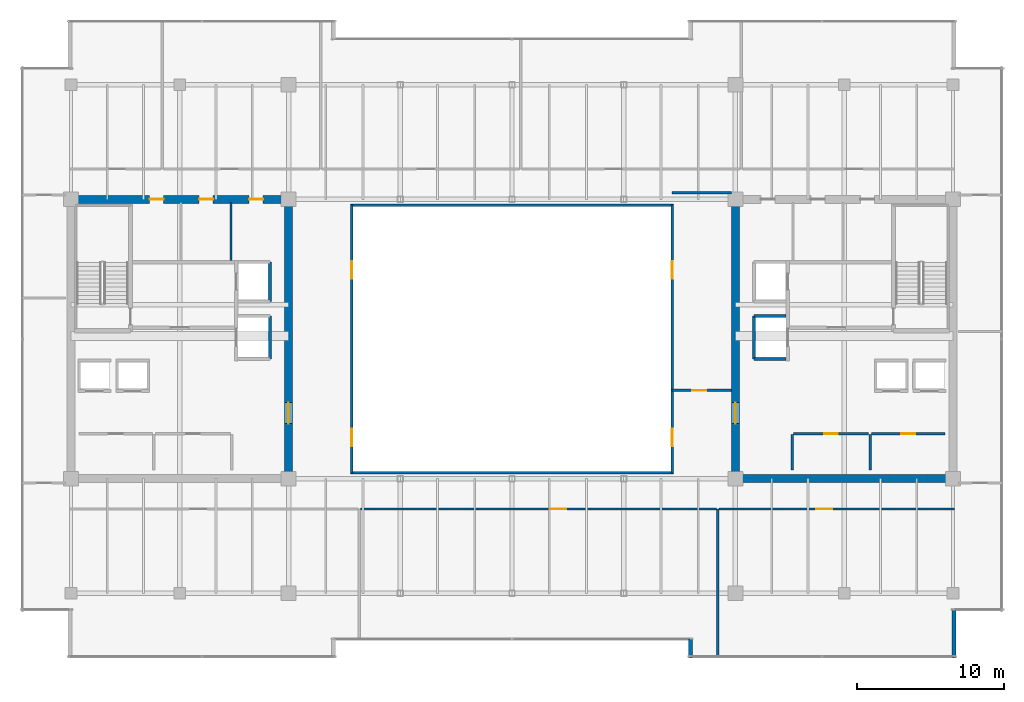
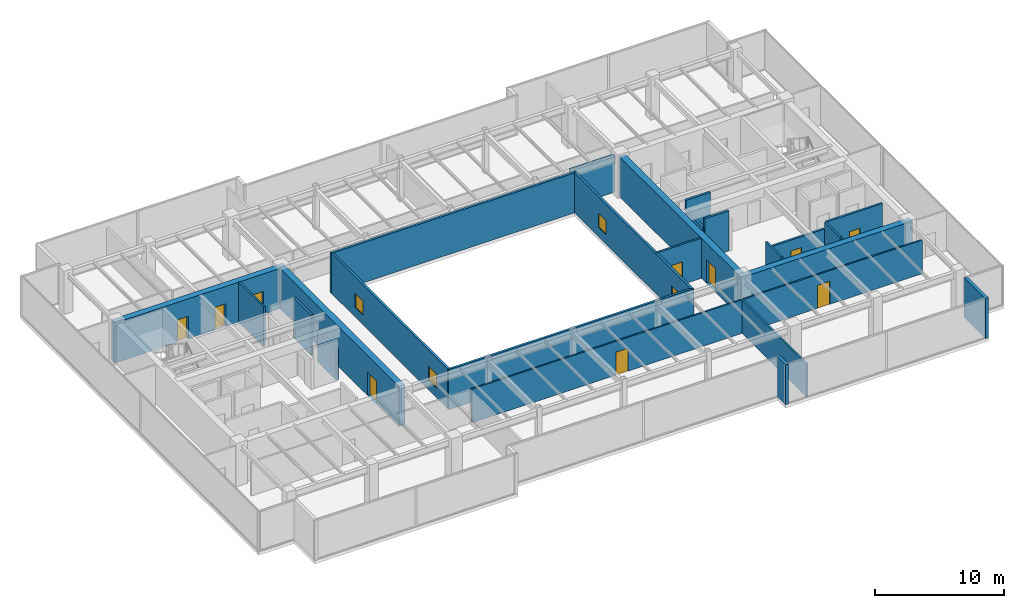
# One storey, part 29 of 33: 25 walls, 10 doors, 4 windows, 14 openings.
"""IFC4 building model written with IfcOpenShell, lengths in metres."""

from ifc_helpers import new_model, si_unit, direction, frame, frame_2d, origin, place, context, subcontext, project, spatial, rectangle, extrude, source, transform, mapped, material, layer, layer_set, type_object, type_shapes, element, fill, save


model = new_model("IFC4")

# Units and contexts
model_context = context("Model", 3, precision=1e-05, world=origin(), true_north=direction((0.0, 1.0)))
body_context = subcontext(model_context, "Body", "Model", "MODEL_VIEW")
ifc_project = project(units=[si_unit("LENGTHUNIT", "METRE"), si_unit("AREAUNIT", "SQUARE_METRE"), si_unit("VOLUMEUNIT", "CUBIC_METRE"), si_unit("PLANEANGLEUNIT", "RADIAN"), si_unit("MASSUNIT", "GRAM", prefix="KILO")], contexts=[model_context])

# Site, building, storey
site_placement = place(None, origin())
site = spatial("IfcSite", under=ifc_project, at=site_placement, CompositionType="ELEMENT")
building_placement = place(site_placement, origin())
building = spatial("IfcBuilding", under=site, at=building_placement, Name="Haelvirn Gate Laboratories", CompositionType="ELEMENT")
storey_placement = place(building_placement, frame((0.0, 0.0, 271.10009765625)))
storey = spatial("IfcBuildingStorey", under=building, at=storey_placement, Name="L65", CompositionType="ELEMENT", Elevation=271.10009765625)

# Walls
ifc_material_1 = material(Name="Thermally-broken bronze aluminium rainscreen & mineral wool", Category="aluminium")
ifc_layer_1 = layer(ifc_material_1, 0.280029296875, Name="EW-TERR-280")
ifc_layer_set_1 = layer_set([ifc_layer_1], Name="Thermally-broken bronze aluminium rainscreen & mineral wool")
wall_type_1 = type_object("IfcWallType", Name="EW-TERR-280", PredefinedType="STANDARD", material=ifc_layer_set_1)
wall_1_placement = place(storey_placement, frame((49.5400390625, 3.89306640625, 0.0), z_axis=(0.0, 0.0, 1.0), x_axis=(0.0, -1.0, 0.0)))
element("IfcWall", 1, at=wall_1_placement, inside=storey, type_object=wall_type_1, Name="L65 Atrium Recess Bronze Return Wall 03", PredefinedType="STANDARD", context=body_context, shape_type="SweptSolid", body=[
    extrude(rectangle(XDim=1.29296875, YDim=0.280029296875, at=frame_2d((0.646484375, 0.0))), origin(), (0.0, 0.0, 1.0), 3.7998046875),
])
wall_2_placement = place(storey_placement, frame((67.4599609375, 2.60009765625, 0.0), z_axis=(0.0, 0.0, 1.0), x_axis=(0.0, 1.0, 0.0)))
element("IfcWall", 2, at=wall_2_placement, inside=storey, type_object=wall_type_1, Name="L65 Atrium Recess Bronze Return Wall 05", PredefinedType="STANDARD", context=body_context, shape_type="SweptSolid", body=[
    extrude(rectangle(XDim=3.287841796875, YDim=0.280029296875, at=frame_2d((1.64404296875, 0.0))), origin(), (0.0, 0.0, 1.0), 3.7998046875),
])
ifc_material_2 = material(Name="Double-layer acoustic gypsum laboratory partition", Category="gypsum")
ifc_layer_2 = layer(ifc_material_2, 0.159912109375, Name="IW-ACOUST-160")
ifc_layer_set_2 = layer_set([ifc_layer_2], Name="Double-layer acoustic gypsum laboratory partition")
wall_type_2 = type_object("IfcWallType", Name="IW-ACOUST-160", PredefinedType="PARTITIONING", material=ifc_layer_set_2)
wall_3_placement = place(storey_placement, frame((51.39990234375, 2.7099609375, 0.0), z_axis=(0.0, 0.0, 1.0), x_axis=(0.0, 1.0, 0.0)))
element("IfcWall", 3, at=wall_3_placement, inside=storey, type_object=wall_type_2, Name="L65 Interior Wall IW-L65-SDIV-02", PredefinedType="PARTITIONING", context=body_context, shape_type="SweptSolid", body=[
    extrude(rectangle(XDim=10.030029296875, YDim=0.159912109375, at=frame_2d((5.01513671875, 0.0))), origin(), (0.0, 0.0, 1.0), 3.135009765625),
])
ifc_material_3 = material(Name="Fire-rated acoustic gypsum board partition", Category="gypsum")
ifc_layer_3 = layer(ifc_material_3, 0.175048828125, Name="IW-ACOUST-180")
ifc_layer_set_3 = layer_set([ifc_layer_3], Name="Fire-rated acoustic gypsum board partition")
wall_type_3 = type_object("IfcWallType", Name="IW-ACOUST-180", PredefinedType="PARTITIONING", material=ifc_layer_set_3)
wall_4_placement = place(storey_placement, frame((48.300048828125, 34.260009765625, 0.0), z_axis=(0.0, 0.0, 1.0), x_axis=(1.0, 0.0, 0.0)))
element("IfcWall", 4, at=wall_4_placement, inside=storey, type_object=wall_type_3, Name="L65 Interior Wall IW-L65-EPOD-N", PredefinedType="PARTITIONING", context=body_context, shape_type="SweptSolid", body=[
    extrude(rectangle(XDim=4.02490234375, YDim=0.175048828125, at=frame_2d((2.012451171875, 0.0))), origin(), (0.0, 0.0, 1.0), 3.534912109375),
])

# Wall, opening, door
wall_5_placement = place(storey_placement, frame((48.300048828125, 20.800048828125, 0.0), z_axis=(0.0, 0.0, 1.0), x_axis=(1.0, 0.0, 0.0)))
wall_5 = element("IfcWall", 5, at=wall_5_placement, inside=storey, type_object=wall_type_3, Name="L65 Interior Wall IW-L65-EPOD-S", PredefinedType="PARTITIONING", context=body_context, shape_type="SweptSolid", body=[
    extrude(rectangle(XDim=4.02490234375, YDim=0.175048828125, at=frame_2d((2.012451171875, 0.0))), origin(), (0.0, 0.0, 1.0), 3.7998046875),
])
opening_1_placement = place(wall_5_placement, frame((1.35009765625, 0.0, 0.0)))
opening_1 = element("IfcOpeningElement", 6, at=opening_1_placement, cuts=wall_5, Name="Opening FD4", PredefinedType="OPENING", context=body_context, shape_type="SweptSolid", body=[
    extrude(rectangle(XDim=0.949951171875, YDim=2.14990234375, at=frame_2d((0.47509765625, 1.074951171875))), frame((0.0, 0.09765625, 0.0), z_axis=(0.0, -1.0, 0.0), x_axis=(1.0, 0.0, 0.0)), (0.0, 0.0, 1.0), 0.195068359375),
])
ifc_material_4 = material(Name="Fire-rated steel SM355 core service door", Category="steel")
door_type_1 = type_object("IfcDoorType", Name="DR-FD-950", OperationType="NOTDEFINED", PredefinedType="DOOR", material=ifc_material_4)
shared_shape_1 = source(origin(), body_context, "Body", "SweptSolid", [
    extrude(rectangle(XDim=0.949951171875, YDim=2.14990234375, at=frame_2d((0.47509765625, 1.074951171875))), frame((0.0, 0.02490234375, 0.0), z_axis=(0.0, -1.0, 0.0), x_axis=(1.0, 0.0, 0.0)), (0.0, 0.0, 1.0), 0.050048828125),
])
type_shapes(door_type_1, [shared_shape_1])
door_1_placement = place(opening_1_placement, origin())
door_1 = element("IfcDoor", 7, at=door_1_placement, inside=storey, type_object=door_type_1, Name="L65 High-Zone Collaboration Suite Door", OperationType="SINGLE_SWING_LEFT", OverallHeight=2.14990234375, OverallWidth=0.949951171875, PredefinedType="DOOR", context=body_context, shape_type="MappedRepresentation", body=[
    mapped(shared_shape_1, transform((0.0, 0.0, 0.0), scale=1.0)),
])
fill(opening_1, door_1)

# Wall, openings, windows
ifc_material_5 = material(Name="Tempered fire-rated borosilicate glass & anodised aluminium", Category="aluminium")
ifc_layer_4 = layer(ifc_material_5, 0.195068359375, Name="IW-GLAZ-200")
ifc_layer_set_4 = layer_set([ifc_layer_4], Name="Tempered fire-rated borosilicate glass & anodised aluminium")
wall_type_4 = type_object("IfcWallType", Name="IW-GLAZ-200", PredefinedType="SOLIDWALL", material=ifc_layer_set_4)
wall_6_placement = place(storey_placement, frame((26.5, 15.199951171875, 0.0), z_axis=(0.0, 0.0, 1.0), x_axis=(0.0, 1.0, 0.0)))
wall_6 = element("IfcWall", 8, at=wall_6_placement, inside=storey, type_object=wall_type_4, Name="L65 Interior Wall IW-L65-ATRIUM-W", PredefinedType="SOLIDWALL", context=body_context, shape_type="SweptSolid", body=[
    extrude(rectangle(XDim=18.199951171875, YDim=0.195068359375, at=frame_2d((9.10009765625, 0.0))), origin(), (0.0, 0.0, 1.0), 3.7998046875),
])
opening_2_placement = place(wall_6_placement, frame((1.800048828125, 0.0, 0.89990234375)))
opening_2 = element("IfcOpeningElement", 9, at=opening_2_placement, cuts=wall_6, Name="Opening W6", PredefinedType="OPENING", context=body_context, shape_type="SweptSolid", body=[
    extrude(rectangle(XDim=1.199951171875, YDim=1.35009765625, at=frame_2d((0.60009765625, 0.675048828125))), frame((0.0, 0.107421875, 0.0), z_axis=(0.0, -1.0, 0.0), x_axis=(1.0, 0.0, 0.0)), (0.0, 0.0, 1.0), 0.215087890625),
])
opening_3_placement = place(wall_6_placement, frame((13.199951171875, 0.0, 0.89990234375)))
opening_3 = element("IfcOpeningElement", 10, at=opening_3_placement, cuts=wall_6, Name="Opening W6", PredefinedType="OPENING", context=body_context, shape_type="SweptSolid", body=[
    extrude(rectangle(XDim=1.199951171875, YDim=1.35009765625, at=frame_2d((0.60009765625, 0.675048828125))), frame((0.0, 0.107421875, 0.0), z_axis=(0.0, -1.0, 0.0), x_axis=(1.0, 0.0, 0.0)), (0.0, 0.0, 1.0), 0.215087890625),
])
ifc_material_6 = material(Name="Fire-rated EI 120 borosilicate atrium vision glazing", Category="glass")
window_type = type_object("IfcWindowType", Name="WN-ATR-1200", PartitioningType="SINGLE_PANEL", PredefinedType="WINDOW", material=ifc_material_6)
shared_shape_2 = source(origin(), body_context, "Body", "SweptSolid", [
    extrude(rectangle(XDim=1.199951171875, YDim=1.35009765625, at=frame_2d((0.60009765625, 0.675048828125))), frame((0.0, 0.030029296875, 0.0), z_axis=(0.0, -1.0, 0.0), x_axis=(1.0, 0.0, 0.0)), (0.0, 0.0, 1.0), 0.06005859375),
])
type_shapes(window_type, [shared_shape_2])
window_1_placement = place(opening_2_placement, origin())
window_1 = element("IfcWindow", 11, at=window_1_placement, inside=storey, type_object=window_type, Name="L65 Atrium Observation Window 1", OverallHeight=1.35009765625, OverallWidth=1.199951171875, PartitioningType="SINGLE_PANEL", PredefinedType="WINDOW", context=body_context, shape_type="MappedRepresentation", body=[
    mapped(shared_shape_2, transform((0.0, 0.0, 0.0), scale=1.0)),
])
fill(opening_2, window_1)
window_2_placement = place(opening_3_placement, origin())
window_2 = element("IfcWindow", 12, at=window_2_placement, inside=storey, type_object=window_type, Name="L65 Atrium Observation Window 2", OverallHeight=1.35009765625, OverallWidth=1.199951171875, PartitioningType="SINGLE_PANEL", PredefinedType="WINDOW", context=body_context, shape_type="MappedRepresentation", body=[
    mapped(shared_shape_2, transform((0.0, 0.0, 0.0), scale=1.0)),
])
fill(opening_3, window_2)

wall_7_placement = place(storey_placement, frame((48.300048828125, 15.199951171875, 0.0), z_axis=(0.0, 0.0, 1.0), x_axis=(0.0, 1.0, 0.0)))
wall_7 = element("IfcWall", 13, at=wall_7_placement, inside=storey, type_object=wall_type_4, Name="L65 Interior Wall IW-L65-ATRIUM-E", PredefinedType="SOLIDWALL", context=body_context, shape_type="SweptSolid", body=[
    extrude(rectangle(XDim=18.199951171875, YDim=0.195068359375, at=frame_2d((9.10009765625, 0.0))), origin(), (0.0, 0.0, 1.0), 3.7998046875),
])
opening_4_placement = place(wall_7_placement, frame((1.800048828125, 0.0, 0.89990234375)))
opening_4 = element("IfcOpeningElement", 14, at=opening_4_placement, cuts=wall_7, Name="Opening W6", PredefinedType="OPENING", context=body_context, shape_type="SweptSolid", body=[
    extrude(rectangle(XDim=1.199951171875, YDim=1.35009765625, at=frame_2d((0.60009765625, 0.675048828125))), frame((0.0, 0.107421875, 0.0), z_axis=(0.0, -1.0, 0.0), x_axis=(1.0, 0.0, 0.0)), (0.0, 0.0, 1.0), 0.215087890625),
])
opening_5_placement = place(wall_7_placement, frame((13.199951171875, 0.0, 0.89990234375)))
opening_5 = element("IfcOpeningElement", 15, at=opening_5_placement, cuts=wall_7, Name="Opening W6", PredefinedType="OPENING", context=body_context, shape_type="SweptSolid", body=[
    extrude(rectangle(XDim=1.199951171875, YDim=1.35009765625, at=frame_2d((0.60009765625, 0.675048828125))), frame((0.0, 0.107421875, 0.0), z_axis=(0.0, -1.0, 0.0), x_axis=(1.0, 0.0, 0.0)), (0.0, 0.0, 1.0), 0.215087890625),
])
window_3_placement = place(opening_4_placement, origin())
window_3 = element("IfcWindow", 16, at=window_3_placement, inside=storey, type_object=window_type, Name="L65 Atrium Observation Window 1", OverallHeight=1.35009765625, OverallWidth=1.199951171875, PartitioningType="SINGLE_PANEL", PredefinedType="WINDOW", context=body_context, shape_type="MappedRepresentation", body=[
    mapped(shared_shape_2, transform((0.0, 0.0, 0.0), scale=1.0)),
])
fill(opening_4, window_3)
window_4_placement = place(opening_5_placement, origin())
window_4 = element("IfcWindow", 17, at=window_4_placement, inside=storey, type_object=window_type, Name="L65 Atrium Observation Window 2", OverallHeight=1.35009765625, OverallWidth=1.199951171875, PartitioningType="SINGLE_PANEL", PredefinedType="WINDOW", context=body_context, shape_type="MappedRepresentation", body=[
    mapped(shared_shape_2, transform((0.0, 0.0, 0.0), scale=1.0)),
])
fill(opening_5, window_4)

# Walls
for number, where, z_axis, x_axis, name in (
    (18, (26.39990234375, 15.199951171875, 0.0), (0.0, 0.0, 1.0), (1.0, 0.0, 0.0), "L65 Interior Wall IW-L65-ATRIUM-S"),
    (19, (26.39990234375, 33.39990234375, 0.0), (0.0, 0.0, 1.0), (1.0, 0.0, 0.0), "L65 Interior Wall IW-L65-ATRIUM-N"),
):
    element("IfcWall", number, at=place(storey_placement, frame(where, z_axis=z_axis, x_axis=x_axis)), inside=storey, type_object=wall_type_4, Name=name, PredefinedType="SOLIDWALL", context=body_context, shape_type="SweptSolid", body=[
        extrude(rectangle(XDim=22.0, YDim=0.195068359375, at=frame_2d((11.0, 0.0))), origin(), (0.0, 0.0, 1.0), 3.7998046875),
    ])

# Wall, opening, door
ifc_material_7 = material(Name="Acoustic mineral-wool gypsum board partition", Category="gypsum")
ifc_layer_5 = layer(ifc_material_7, 0.139892578125, Name="IW-PART-140")
ifc_layer_set_5 = layer_set([ifc_layer_5], Name="Acoustic mineral-wool gypsum board partition")
wall_type_5 = type_object("IfcWallType", Name="IW-PART-140", PredefinedType="PARTITIONING", material=ifc_layer_set_5)
wall_8_placement = place(storey_placement, frame((27.080078125, 12.739990234375, 0.0), z_axis=(0.0, 0.0, 1.0), x_axis=(1.0, 0.0, 0.0)))
wall_8 = element("IfcWall", 20, at=wall_8_placement, inside=storey, type_object=wall_type_5, Name="L65 Interior Wall IW-L65-SCORR-02", PredefinedType="PARTITIONING", context=body_context, shape_type="SweptSolid", body=[
    extrude(rectangle(XDim=24.239990234375, YDim=0.139892578125, at=frame_2d((12.1201171875, 0.0))), origin(), (0.0, 0.0, 1.0), 3.197021484375),
])
opening_6_placement = place(wall_8_placement, frame((12.91650390625, 0.0, 0.0)))
opening_6 = element("IfcOpeningElement", 21, at=opening_6_placement, cuts=wall_8, Name="Opening D1", PredefinedType="OPENING", context=body_context, shape_type="SweptSolid", body=[
    extrude(rectangle(XDim=1.10009765625, YDim=2.179931640625, at=frame_2d((0.550048828125, 1.08984375))), frame((0.0, 0.080078125, 0.0), z_axis=(0.0, -1.0, 0.0), x_axis=(1.0, 0.0, 0.0)), (0.0, 0.0, 1.0), 0.159912109375),
])
ifc_material_8 = material(Name="Vision-panel acoustic solid-core timber lab door", Category="wood")
door_type_2 = type_object("IfcDoorType", Name="DR-LAB-1100", OperationType="NOTDEFINED", PredefinedType="DOOR", material=ifc_material_8)
shared_shape_3 = source(origin(), body_context, "Body", "SweptSolid", [
    extrude(rectangle(XDim=1.10009765625, YDim=2.179931640625, at=frame_2d((0.550048828125, 1.08984375))), frame((0.0, 0.02490234375, 0.0), z_axis=(0.0, -1.0, 0.0), x_axis=(1.0, 0.0, 0.0)), (0.0, 0.0, 1.0), 0.050048828125),
])
type_shapes(door_type_2, [shared_shape_3])
door_2_placement = place(opening_6_placement, origin())
door_2 = element("IfcDoor", 22, at=door_2_placement, inside=storey, type_object=door_type_2, Name="L65 Computational Write-Up Office Door S2", OperationType="SINGLE_SWING_LEFT", OverallHeight=2.179931640625, OverallWidth=1.10009765625, PredefinedType="DOOR", context=body_context, shape_type="MappedRepresentation", body=[
    mapped(shared_shape_3, transform((0.0, 0.0, 0.0), scale=1.0)),
])
fill(opening_6, door_2)

wall_9_placement = place(storey_placement, frame((51.47998046875, 12.739990234375, 0.0), z_axis=(0.0, 0.0, 1.0), x_axis=(1.0, 0.0, 0.0)))
wall_9 = element("IfcWall", 23, at=wall_9_placement, inside=storey, type_object=wall_type_5, Name="L65 Interior Wall IW-L65-SCORR-03", PredefinedType="PARTITIONING", context=body_context, shape_type="SweptSolid", body=[
    extrude(rectangle(XDim=16.010009765625, YDim=0.139892578125, at=frame_2d((8.0048828125, 0.0))), origin(), (0.0, 0.0, 1.0), 3.197021484375),
])
opening_7_placement = place(wall_9_placement, frame((6.602294921875, 0.0, 0.0)))
opening_7 = element("IfcOpeningElement", 24, at=opening_7_placement, cuts=wall_9, Name="Opening D1", PredefinedType="OPENING", context=body_context, shape_type="SweptSolid", body=[
    extrude(rectangle(XDim=1.10009765625, YDim=2.179931640625, at=frame_2d((0.550048828125, 1.08984375))), frame((0.0, 0.080078125, 0.0), z_axis=(0.0, -1.0, 0.0), x_axis=(1.0, 0.0, 0.0)), (0.0, 0.0, 1.0), 0.159912109375),
])
door_3_placement = place(opening_7_placement, origin())
door_3 = element("IfcDoor", 25, at=door_3_placement, inside=storey, type_object=door_type_2, Name="L65 Bioinformatics Dry-Lab Workspace Door S3", OperationType="SINGLE_SWING_RIGHT", OverallHeight=2.179931640625, OverallWidth=1.10009765625, PredefinedType="DOOR", context=body_context, shape_type="MappedRepresentation", body=[
    mapped(shared_shape_3, transform((0.0, 0.0, 0.0), scale=1.0)),
])
fill(opening_7, door_3)

# Wall
ifc_material_9 = material(Name="Cement-board restroom plumbing chase wall", Category="gypsum")
ifc_layer_6 = layer(ifc_material_9, 0.155029296875, Name="IW-PLUMB-160")
ifc_layer_set_6 = layer_set([ifc_layer_6], Name="Cement-board restroom plumbing chase wall")
wall_type_6 = type_object("IfcWallType", Name="IW-PLUMB-160", PredefinedType="PLUMBINGWALL", material=ifc_layer_set_6)
wall_10_placement = place(storey_placement, frame((18.2900390625, 29.64990234375, 0.0), z_axis=(0.0, 0.0, 1.0), x_axis=(0.0, 1.0, 0.0)))
element("IfcWall", 26, at=wall_10_placement, inside=storey, type_object=wall_type_6, Name="L65 Interior Wall IW-L65-W-CDIV-2", PredefinedType="PLUMBINGWALL", context=body_context, shape_type="SweptSolid", body=[
    extrude(rectangle(XDim=3.93017578125, YDim=0.155029296875, at=frame_2d((1.965087890625, 0.0))), origin(), (0.0, 0.0, 1.0), 3.7998046875),
])

# Wall, opening, door
ifc_material_10 = material(Name="Concrete C40/50", Category="concrete")
ifc_layer_7 = layer(ifc_material_10, 0.179931640625, Name="IW-SHAFT-180")
ifc_layer_set_7 = layer_set([ifc_layer_7], Name="Concrete C40/50")
wall_type_7 = type_object("IfcWallType", Name="IW-SHAFT-180", PredefinedType="SOLIDWALL", material=ifc_layer_set_7)
wall_11_placement = place(storey_placement, frame((61.85009765625, 17.85009765625, 0.0), z_axis=(0.0, 0.0, 1.0), x_axis=(1.0, 0.0, 0.0)))
wall_11 = element("IfcWall", 27, at=wall_11_placement, inside=storey, type_object=wall_type_7, Name="L65 Interior Wall IW-L65-E-FREED-HN-1", PredefinedType="SOLIDWALL", context=body_context, shape_type="SweptSolid", body=[
    extrude(rectangle(XDim=5.0, YDim=0.179931640625, at=frame_2d((2.5, 0.0))), origin(), (0.0, 0.0, 1.0), 3.7998046875),
])
opening_8_placement = place(wall_11_placement, frame((2.02490234375, 0.0, 0.0)))
opening_8 = element("IfcOpeningElement", 28, at=opening_8_placement, cuts=wall_11, Name="Opening FD4", PredefinedType="OPENING", context=body_context, shape_type="SweptSolid", body=[
    extrude(rectangle(XDim=0.949951171875, YDim=2.14990234375, at=frame_2d((0.47509765625, 1.074951171875))), frame((0.0, 0.10009765625, 0.0), z_axis=(0.0, -1.0, 0.0), x_axis=(1.0, 0.0, 0.0)), (0.0, 0.0, 1.0), 0.199951171875),
])
door_4_placement = place(opening_8_placement, origin())
door_4 = element("IfcDoor", 29, at=door_4_placement, inside=storey, type_object=door_type_1, Name="L65 Cryogenic Specimen Biobank Door", OperationType="SINGLE_SWING_LEFT", OverallHeight=2.14990234375, OverallWidth=0.949951171875, PredefinedType="DOOR", context=body_context, shape_type="MappedRepresentation", body=[
    mapped(shared_shape_1, transform((0.0, 0.0, 0.0), scale=1.0)),
])
fill(opening_8, door_4)

# Wall
wall_12_placement = place(storey_placement, frame((61.760009765625, 15.39990234375, 0.0), z_axis=(0.0, 0.0, 1.0), x_axis=(0.0, 1.0, 0.0)))
element("IfcWall", 30, at=wall_12_placement, inside=storey, type_object=wall_type_7, Name="L65 Interior Wall IW-L65-E-FREED-HE-1", PredefinedType="SOLIDWALL", context=body_context, shape_type="SweptSolid", body=[
    extrude(rectangle(XDim=2.400146484375, YDim=0.179931640625, at=frame_2d((1.2001953125, 0.0))), origin(), (0.0, 0.0, 1.0), 3.7998046875),
])

# Wall, opening, door
wall_13_placement = place(storey_placement, frame((56.550048828125, 17.85009765625, 0.0), z_axis=(0.0, 0.0, 1.0), x_axis=(1.0, 0.0, 0.0)))
wall_13 = element("IfcWall", 31, at=wall_13_placement, inside=storey, type_object=wall_type_7, Name="L65 Interior Wall IW-L65-E-FREED-HN-2", PredefinedType="SOLIDWALL", context=body_context, shape_type="SweptSolid", body=[
    extrude(rectangle(XDim=5.099853515625, YDim=0.179931640625, at=frame_2d((2.5498046875, 0.0))), origin(), (0.0, 0.0, 1.0), 3.197021484375),
])
opening_9_placement = place(wall_13_placement, frame((2.074951171875, 0.0, 0.0)))
opening_9 = element("IfcOpeningElement", 32, at=opening_9_placement, cuts=wall_13, Name="Opening FD4", PredefinedType="OPENING", context=body_context, shape_type="SweptSolid", body=[
    extrude(rectangle(XDim=0.949951171875, YDim=2.14990234375, at=frame_2d((0.47509765625, 1.074951171875))), frame((0.0, 0.10009765625, 0.0), z_axis=(0.0, -1.0, 0.0), x_axis=(1.0, 0.0, 0.0)), (0.0, 0.0, 1.0), 0.199951171875),
])
door_5_placement = place(opening_9_placement, origin())
door_5 = element("IfcDoor", 33, at=door_5_placement, inside=storey, type_object=door_type_1, Name="L65 Cryo-Assay Preparation Laboratory Door", OperationType="SINGLE_SWING_RIGHT", OverallHeight=2.14990234375, OverallWidth=0.949951171875, PredefinedType="DOOR", context=body_context, shape_type="MappedRepresentation", body=[
    mapped(shared_shape_1, transform((0.0, 0.0, 0.0), scale=1.0)),
])
fill(opening_9, door_5)

# Walls
wall_14_placement = place(storey_placement, frame((56.4599609375, 15.39990234375, 0.0), z_axis=(0.0, 0.0, 1.0), x_axis=(0.0, 1.0, 0.0)))
element("IfcWall", 34, at=wall_14_placement, inside=storey, type_object=wall_type_7, Name="L65 Interior Wall IW-L65-E-FREED-HE-2", PredefinedType="SOLIDWALL", context=body_context, shape_type="SweptSolid", body=[
    extrude(rectangle(XDim=2.400146484375, YDim=0.179931640625, at=frame_2d((1.2001953125, 0.0))), origin(), (0.0, 0.0, 1.0), 3.7998046875),
])
ifc_layer_8 = layer(ifc_material_10, 0.199951171875, Name="IW-SHAFT-200")
ifc_layer_set_8 = layer_set([ifc_layer_8], Name="Concrete C40/50")
wall_type_8 = type_object("IfcWallType", Name="IW-SHAFT-200", PredefinedType="SOLIDWALL", material=ifc_layer_set_8)
wall_15_placement = place(storey_placement, frame((20.949951171875, 26.85009765625, 0.0), z_axis=(0.0, 0.0, 1.0), x_axis=(0.0, 1.0, 0.0)))
element("IfcWall", 35, at=wall_15_placement, inside=storey, type_object=wall_type_8, Name="L65 Interior Wall IW-L65-FL1-BK", PredefinedType="SOLIDWALL", context=body_context, shape_type="SweptSolid", body=[
    extrude(rectangle(XDim=2.699951171875, YDim=0.199951171875, at=frame_2d((1.35009765625, 0.0))), origin(), (0.0, 0.0, 1.0), 3.7998046875),
])
for number, where, z_axis, x_axis, name in (
    (36, (20.949951171875, 22.949951171875, 0.0), (0.0, 0.0, 1.0), (0.0, 1.0, 0.0), "L65 Interior Wall IW-L65-SL1-BK"),
    (37, (53.85009765625, 22.949951171875, 0.0), (0.0, 0.0, 1.0), (0.0, 1.0, 0.0), "L65 Interior Wall IW-L65-SL2-BK"),
):
    element("IfcWall", number, at=place(storey_placement, frame(where, z_axis=z_axis, x_axis=x_axis)), inside=storey, type_object=wall_type_8, Name=name, PredefinedType="SOLIDWALL", context=body_context, shape_type="SweptSolid", body=[
        extrude(rectangle(XDim=2.900146484375, YDim=0.199951171875, at=frame_2d((1.4501953125, 0.0))), origin(), (0.0, 0.0, 1.0), 2.934814453125),
    ])
for number, where, z_axis, x_axis, name in (
    (38, (53.85009765625, 25.85009765625, 0.0), (0.0, 0.0, 1.0), (1.0, 0.0, 0.0), "L65 Interior Wall IW-L65-SL2-N"),
    (39, (53.85009765625, 22.949951171875, 0.0), (0.0, 0.0, 1.0), (1.0, 0.0, 0.0), "L65 Interior Wall IW-L65-SL2-S"),
):
    element("IfcWall", number, at=place(storey_placement, frame(where, z_axis=z_axis, x_axis=x_axis)), inside=storey, type_object=wall_type_8, Name=name, PredefinedType="SOLIDWALL", context=body_context, shape_type="SweptSolid", body=[
        extrude(rectangle(XDim=2.18994140625, YDim=0.199951171875, at=frame_2d((1.094970703125, 0.0))), origin(), (0.0, 0.0, 1.0), 3.7998046875),
    ])

# Wall, openings, doors
ifc_material_11 = material(Name="Concrete C50/60", Category="concrete")
ifc_layer_9 = layer(ifc_material_11, 0.550048828125, Name="SW-CORE-550")
ifc_layer_set_9 = layer_set([ifc_layer_9], Name="Concrete C50/60")
wall_type_9 = type_object("IfcWallType", Name="SW-CORE-550", PredefinedType="SHEAR", material=ifc_layer_set_9)
wall_16_placement = place(storey_placement, frame((7.125, 33.800048828125, 0.0), z_axis=(0.0, 0.0, 1.0), x_axis=(1.0, 0.0, 0.0)))
wall_16 = element("IfcWall", 40, at=wall_16_placement, inside=storey, type_object=wall_type_9, Name="L65 W Core Shear Wall N", PredefinedType="SHEAR", context=body_context, shape_type="SweptSolid", body=[
    extrude(rectangle(XDim=15.35009765625, YDim=0.550048828125, at=frame_2d((7.675048828125, 0.0))), origin(), (0.0, 0.0, 1.0), 3.7998046875),
])
opening_10_placement = place(wall_16_placement, frame((5.625, 0.0, 0.0)))
opening_10 = element("IfcOpeningElement", 41, at=opening_10_placement, cuts=wall_16, Name="Opening FD4", PredefinedType="OPENING", context=body_context, shape_type="SweptSolid", body=[
    extrude(rectangle(XDim=0.949951171875, YDim=2.14990234375, at=frame_2d((0.47509765625, 1.074951171875))), frame((0.0, 0.28515625, 0.0), z_axis=(0.0, -1.0, 0.0), x_axis=(1.0, 0.0, 0.0)), (0.0, 0.0, 1.0), 0.570068359375),
])
opening_11_placement = place(wall_16_placement, frame((8.989990234375, 0.0, 0.0)))
opening_11 = element("IfcOpeningElement", 42, at=opening_11_placement, cuts=wall_16, Name="Opening FD4", PredefinedType="OPENING", context=body_context, shape_type="SweptSolid", body=[
    extrude(rectangle(XDim=0.949951171875, YDim=2.14990234375, at=frame_2d((0.47509765625, 1.074951171875))), frame((0.0, 0.28515625, 0.0), z_axis=(0.0, -1.0, 0.0), x_axis=(1.0, 0.0, 0.0)), (0.0, 0.0, 1.0), 0.570068359375),
])
opening_12_placement = place(wall_16_placement, frame((12.389892578125, 0.0, 0.0)))
opening_12 = element("IfcOpeningElement", 43, at=opening_12_placement, cuts=wall_16, Name="Opening FD4", PredefinedType="OPENING", context=body_context, shape_type="SweptSolid", body=[
    extrude(rectangle(XDim=0.949951171875, YDim=2.14990234375, at=frame_2d((0.47509765625, 1.074951171875))), frame((0.0, 0.28515625, 0.0), z_axis=(0.0, -1.0, 0.0), x_axis=(1.0, 0.0, 0.0)), (0.0, 0.0, 1.0), 0.570068359375),
])
door_6_placement = place(opening_10_placement, origin())
door_6 = element("IfcDoor", 44, at=door_6_placement, inside=storey, type_object=door_type_1, Name="L65 Male Restroom Fire Door", OperationType="SINGLE_SWING_RIGHT", OverallHeight=2.14990234375, OverallWidth=0.949951171875, PredefinedType="DOOR", context=body_context, shape_type="MappedRepresentation", body=[
    mapped(shared_shape_1, transform((0.0, 0.0, 0.0), scale=1.0)),
])
fill(opening_10, door_6)
door_7_placement = place(opening_11_placement, origin())
door_7 = element("IfcDoor", 45, at=door_7_placement, inside=storey, type_object=door_type_1, Name="L65 Female Restroom Fire Door", OperationType="SINGLE_SWING_LEFT", OverallHeight=2.14990234375, OverallWidth=0.949951171875, PredefinedType="DOOR", context=body_context, shape_type="MappedRepresentation", body=[
    mapped(shared_shape_1, transform((0.0, 0.0, 0.0), scale=1.0)),
])
fill(opening_11, door_7)
door_8_placement = place(opening_12_placement, origin())
door_8 = element("IfcDoor", 46, at=door_8_placement, inside=storey, type_object=door_type_1, Name="L65 Accessible Restroom Fire Door", OperationType="SINGLE_SWING_RIGHT", OverallHeight=2.14990234375, OverallWidth=0.949951171875, PredefinedType="DOOR", context=body_context, shape_type="MappedRepresentation", body=[
    mapped(shared_shape_1, transform((0.0, 0.0, 0.0), scale=1.0)),
])
fill(opening_12, door_8)

# Wall, opening, door
wall_17_placement = place(storey_placement, frame((22.199951171875, 15.074951171875, 0.0), z_axis=(0.0, 0.0, 1.0), x_axis=(0.0, 1.0, 0.0)))
wall_17 = element("IfcWall", 47, at=wall_17_placement, inside=storey, type_object=wall_type_9, Name="L65 W Core Shear Wall E", PredefinedType="SHEAR", context=body_context, shape_type="SweptSolid", body=[
    extrude(rectangle(XDim=18.449951171875, YDim=0.550048828125, at=frame_2d((9.22509765625, 0.0))), origin(), (0.0, 0.0, 1.0), 3.7998046875),
])
opening_13_placement = place(wall_17_placement, frame((3.47509765625, 0.0, 0.0)))
opening_13 = element("IfcOpeningElement", 48, at=opening_13_placement, cuts=wall_17, Name="Opening FD1", PredefinedType="OPENING", context=body_context, shape_type="SweptSolid", body=[
    extrude(rectangle(XDim=1.419921875, YDim=2.199951171875, at=frame_2d((0.7099609375, 1.10009765625))), frame((0.0, 0.28515625, 0.0), z_axis=(0.0, -1.0, 0.0), x_axis=(1.0, 0.0, 0.0)), (0.0, 0.0, 1.0), 0.570068359375),
])
ifc_material_12 = material(Name="Fire-rated double steel SM355 lobby door", Category="steel")
door_type_3 = type_object("IfcDoorType", Name="DR-FD-1400", OperationType="NOTDEFINED", PredefinedType="DOOR", material=ifc_material_12)
shared_shape_4 = source(origin(), body_context, "Body", "SweptSolid", [
    extrude(rectangle(XDim=1.419921875, YDim=2.199951171875, at=frame_2d((0.7099609375, 1.10009765625))), frame((0.0, 0.02490234375, 0.0), z_axis=(0.0, -1.0, 0.0), x_axis=(1.0, 0.0, 0.0)), (0.0, 0.0, 1.0), 0.050048828125),
])
type_shapes(door_type_3, [shared_shape_4])
door_9_placement = place(opening_13_placement, origin())
door_9 = element("IfcDoor", 49, at=door_9_placement, inside=storey, type_object=door_type_3, Name="L65 West Core Lift Lobby Fire Door", OperationType="DOUBLE_DOOR_SINGLE_SWING", OverallHeight=2.199951171875, OverallWidth=1.419921875, PredefinedType="DOOR", context=body_context, shape_type="MappedRepresentation", body=[
    mapped(shared_shape_4, transform((0.0, 0.0, 0.0), scale=1.0)),
])
fill(opening_13, door_9)

# Wall
wall_18_placement = place(storey_placement, frame((52.324951171875, 14.800048828125, 0.0), z_axis=(0.0, 0.0, 1.0), x_axis=(1.0, 0.0, 0.0)))
element("IfcWall", 50, at=wall_18_placement, inside=storey, type_object=wall_type_9, Name="L65 E Core Shear Wall S", PredefinedType="SHEAR", context=body_context, shape_type="SweptSolid", body=[
    extrude(rectangle(XDim=15.35009765625, YDim=0.550048828125, at=frame_2d((7.675048828125, 0.0))), origin(), (0.0, 0.0, 1.0), 3.7998046875),
])

# Wall, opening, door
wall_19_placement = place(storey_placement, frame((52.60009765625, 15.074951171875, 0.0), z_axis=(0.0, 0.0, 1.0), x_axis=(0.0, 1.0, 0.0)))
wall_19 = element("IfcWall", 51, at=wall_19_placement, inside=storey, type_object=wall_type_9, Name="L65 E Core Shear Wall W", PredefinedType="SHEAR", context=body_context, shape_type="SweptSolid", body=[
    extrude(rectangle(XDim=18.449951171875, YDim=0.550048828125, at=frame_2d((9.22509765625, 0.0))), origin(), (0.0, 0.0, 1.0), 3.7998046875),
])
opening_14_placement = place(wall_19_placement, frame((3.47509765625, 0.0, 0.0)))
opening_14 = element("IfcOpeningElement", 52, at=opening_14_placement, cuts=wall_19, Name="Opening FD1", PredefinedType="OPENING", context=body_context, shape_type="SweptSolid", body=[
    extrude(rectangle(XDim=1.419921875, YDim=2.199951171875, at=frame_2d((0.7099609375, 1.10009765625))), frame((0.0, 0.28515625, 0.0), z_axis=(0.0, -1.0, 0.0), x_axis=(1.0, 0.0, 0.0)), (0.0, 0.0, 1.0), 0.570068359375),
])
door_10_placement = place(opening_14_placement, origin())
door_10 = element("IfcDoor", 53, at=door_10_placement, inside=storey, type_object=door_type_3, Name="L65 East Core Lift Lobby Fire Door", OperationType="DOUBLE_DOOR_SINGLE_SWING", OverallHeight=2.199951171875, OverallWidth=1.419921875, PredefinedType="DOOR", context=body_context, shape_type="MappedRepresentation", body=[
    mapped(shared_shape_4, transform((0.0, 0.0, 0.0), scale=1.0)),
])
fill(opening_14, door_10)

save(model, "model.ifc")
